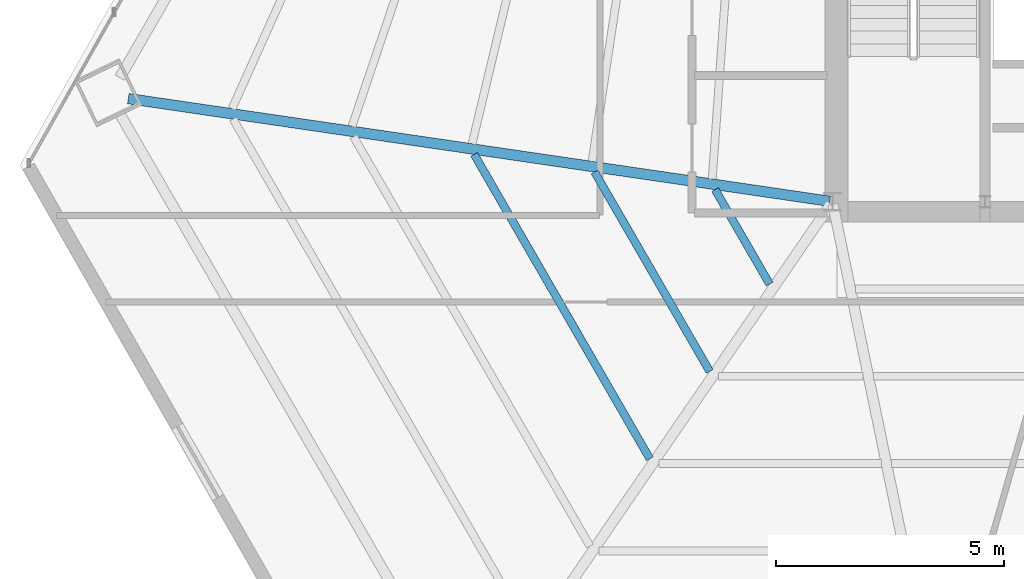
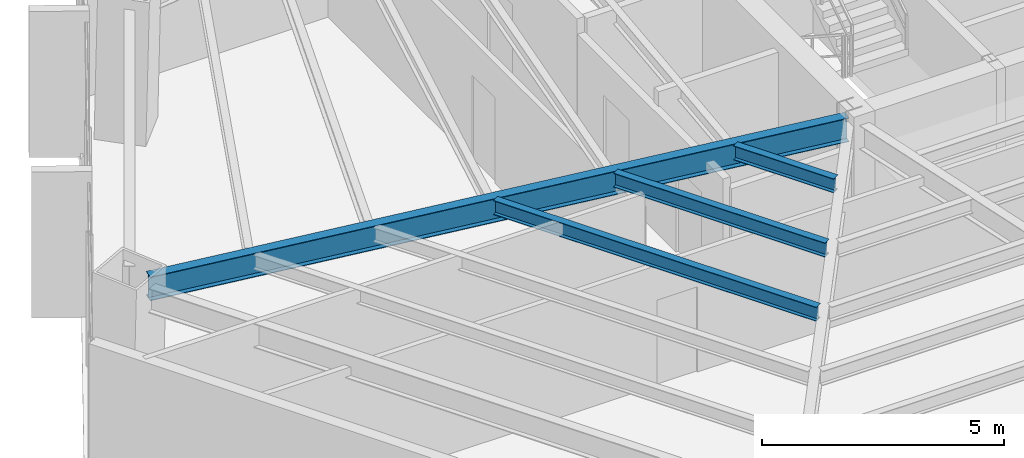
# One storey, part 7 of 36: 4 beams.
"""IFC4 building model written with IfcOpenShell, lengths in metres."""

import ifcopenshell
import ifcopenshell.guid

model = None  # the IFC model being written
_history = None  # IfcOwnerHistory: only IFC2X3 demands one
_inside = {}  # id of a spatial element -> (the spatial element, [elements in it])
_under = {}  # id of a project, library or spatial element -> (it, [spatial elements below it])
_declared = {}  # id of a project -> (the project, [libraries it declares])
_typed = {}  # id of a type object -> (the type object, [elements of that type])
_made_of = {}  # id of a material, layer set ... -> (it, [elements and type objects made of it])


def new_model(schema):
    """Start an empty IFC model of exactly this schema.

    Asked for "IFC4X3", IfcOpenShell would pick the latest addendum, in which some entities
    have other attributes; the version numbers below select the first issue.
    IFC2X3 requires an IfcOwnerHistory on every rooted entity: one is made here for all.
    """
    global model, _history
    if schema == "IFC4X3":
        model = ifcopenshell.file(schema_version=(4, 3, 0, 0))
    else:
        model = ifcopenshell.file(schema=schema)
    _inside.clear()
    _under.clear()
    _declared.clear()
    _typed.clear()
    _made_of.clear()
    _history = None
    if model.schema == "IFC2X3":
        org = make("IfcOrganization", Name="unknown")
        user = make(
            "IfcPersonAndOrganization",
            ThePerson=make("IfcPerson", FamilyName="unknown"),
            TheOrganization=org,
        )
        app = make(
            "IfcApplication",
            ApplicationDeveloper=org,
            Version="unknown",
            ApplicationFullName="unknown",
            ApplicationIdentifier="unknown",
        )
        _history = make(
            "IfcOwnerHistory",
            OwningUser=user,
            OwningApplication=app,
            ChangeAction="ADDED",
            CreationDate=0,
        )
    return model


def make(cls, **values):
    """One entity of the class cls with the attributes given. An attribute that is None is left unset."""
    return model.create_entity(
        cls, **{name: value for name, value in values.items() if value is not None}
    )


def rooted(cls, **values):
    """An entity with a GlobalId (a new one), such as an element, a storey or a relation."""
    return make(cls, GlobalId=ifcopenshell.guid.new(), OwnerHistory=_history, **values)


def si_unit(unit_type, name, prefix=None):
    """IfcSIUnit, for example si_unit("LENGTHUNIT", "METRE", prefix="MILLI")."""
    return make("IfcSIUnit", UnitType=unit_type, Prefix=prefix, Name=name)


def assignment(units):
    """IfcUnitAssignment: the units of a project."""
    return None if units is None else make("IfcUnitAssignment", Units=units)


def point(xyz):
    """IfcCartesianPoint."""
    return None if xyz is None else make("IfcCartesianPoint", Coordinates=xyz)


def direction(xyz):
    """IfcDirection."""
    return None if xyz is None else make("IfcDirection", DirectionRatios=xyz)


def frame(location, z_axis=None, x_axis=None):
    """IfcAxis2Placement3D, a coordinate frame: its origin and axes. An axis left out is left unset."""
    return make(
        "IfcAxis2Placement3D",
        Location=point(location),
        Axis=direction(z_axis),
        RefDirection=direction(x_axis),
    )


def frame_2d(location, x_axis=None):
    """IfcAxis2Placement2D, a coordinate frame in the plane: its origin and x axis."""
    return make(
        "IfcAxis2Placement2D", Location=point(location), RefDirection=direction(x_axis)
    )


def origin():
    """The frame at (0, 0, 0) with its axes left unset."""
    return frame((0.0, 0.0, 0.0))


def origin_2d():
    """The frame at (0, 0) in the plane with its x axis left unset."""
    return frame_2d((0.0, 0.0))


def place(relative_to, where):
    """IfcLocalPlacement: puts the frame where relative to a parent placement (None: the world)."""
    return make(
        "IfcLocalPlacement", PlacementRelTo=relative_to, RelativePlacement=where
    )


def context(
    kind, dimensions, precision=None, world=None, true_north=None, identifier=None
):
    """IfcGeometricRepresentationContext, for example the 3D "Model" context."""
    return make(
        "IfcGeometricRepresentationContext",
        ContextIdentifier=identifier,
        ContextType=kind,
        CoordinateSpaceDimension=dimensions,
        Precision=precision,
        WorldCoordinateSystem=world,
        TrueNorth=true_north,
    )


def subcontext(parent, identifier, kind, view, scale=None):
    """IfcGeometricRepresentationSubContext, for example "Body" below "Model"."""
    return make(
        "IfcGeometricRepresentationSubContext",
        ContextIdentifier=identifier,
        ContextType=kind,
        ParentContext=parent,
        TargetScale=scale,
        TargetView=view,
    )


def project(units=None, contexts=None):
    """IfcProject with its units and contexts."""
    return rooted(
        "IfcProject",
        Name="project",
        RepresentationContexts=contexts,
        UnitsInContext=assignment(units),
    )


def spatial(cls, under=None, at=None, **own):
    """A site, building, storey or space (cls), placed at a placement, below another one or the project."""
    s = rooted(cls, ObjectPlacement=at, **own)
    if under is not None:
        _under.setdefault(under.id(), (under, []))[1].append(s)
    return s


def profile(cls, at=None, kind="AREA", **sizes):
    """A parametric profile (cls). Its sizes go by their IFC names, for example OverallWidth=200.0."""
    return make(cls, ProfileType=kind, Position=at, **sizes)


def i_section(**sizes):
    """IfcIShapeProfileDef."""
    return profile("IfcIShapeProfileDef", **sizes)


def extrude(swept, where, along, depth):
    """IfcExtrudedAreaSolid: the profile swept, set in the frame where, extruded along a direction by depth."""
    return make(
        "IfcExtrudedAreaSolid",
        SweptArea=swept,
        Position=where,
        ExtrudedDirection=direction(along),
        Depth=depth,
    )


def shape(context_of_items, identifier, shape_type, items):
    """IfcShapeRepresentation: the items that make up one representation, for example the "Body"."""
    return make(
        "IfcShapeRepresentation",
        ContextOfItems=context_of_items,
        RepresentationIdentifier=identifier,
        RepresentationType=shape_type,
        Items=items,
    )


def source(mapping_origin, context_of_items, identifier, shape_type, items):
    """IfcRepresentationMap: a shape defined once, which mapped items show again and again."""
    return make(
        "IfcRepresentationMap",
        MappingOrigin=mapping_origin,
        MappedRepresentation=shape(context_of_items, identifier, shape_type, items),
    )


def transform(
    local_origin,
    x_axis=None,
    y_axis=None,
    z_axis=None,
    scale=None,
    scale2=None,
    scale3=None,
    uniform=True,
):
    """IfcCartesianTransformationOperator3D, or its non-uniform kind. x_axis, y_axis, z_axis: its Axis1, 2, 3."""
    if uniform:
        return make(
            "IfcCartesianTransformationOperator3D",
            Axis1=direction(x_axis),
            Axis2=direction(y_axis),
            LocalOrigin=point(local_origin),
            Scale=scale,
            Axis3=direction(z_axis),
        )
    return make(
        "IfcCartesianTransformationOperator3DnonUniform",
        Axis1=direction(x_axis),
        Axis2=direction(y_axis),
        LocalOrigin=point(local_origin),
        Scale=scale,
        Axis3=direction(z_axis),
        Scale2=scale2,
        Scale3=scale3,
    )


def mapped(mapping_source, mapping_target):
    """IfcMappedItem: shows the shape of a source again, moved by a transform."""
    return make(
        "IfcMappedItem", MappingSource=mapping_source, MappingTarget=mapping_target
    )


def material(Name=None, Category=None):
    """IfcMaterial."""
    return make("IfcMaterial", Name=Name, Category=Category)


def material_profile(
    of_material, cross_section, Name=None, Category=None, Priority=None
):
    """IfcMaterialProfile: a cross section and its material."""
    return make(
        "IfcMaterialProfile",
        Name=Name,
        Material=of_material,
        Profile=cross_section,
        Priority=Priority,
        Category=Category,
    )


def profile_set(profiles, Name=None, composite=None):
    """IfcMaterialProfileSet."""
    return make(
        "IfcMaterialProfileSet",
        Name=Name,
        MaterialProfiles=profiles,
        CompositeProfile=composite,
    )


def made_of(thing, what):
    """Note that an element or type object is made of a material, layer set ...; save() writes the relation."""
    if what is not None:
        _made_of.setdefault(what.id(), (what, []))[1].append(thing)
    return thing


def type_object(cls, material=None, **own):
    """A type object (cls), such as IfcWallType, which elements share."""
    return made_of(rooted(cls, **own), material)


def type_shapes(of_type, sources):
    """Give a type object the sources (RepresentationMaps) that its elements show as mapped items."""
    of_type.RepresentationMaps = sources


def element(
    cls,
    number,
    at=None,
    inside=None,
    cuts=None,
    type_object=None,
    material=None,
    context=None,
    identifier="Body",
    shape_type=None,
    held_by="IfcProductDefinitionShape",
    body=None,
    shapes=None,
    **own,
):
    """One element of the class cls, such as IfcWall. Its Tag is "e" and its number.

    at: its placement. inside: the storey or other place that contains it. cuts: it is an
    opening in that element (IfcRelVoidsElement). A single representation is given by context,
    identifier, shape_type and body (its items); several are given by shapes. held_by: the class
    of the entity that holds the representations. save() writes the other relations.
    """
    e = rooted(cls, Tag="e%d" % number, ObjectPlacement=at, **own)
    if body is not None:
        shapes = [shape(context, identifier, shape_type, body)]
    if shapes is not None:
        e.Representation = make(held_by, Representations=shapes)
    if inside is not None:
        _inside.setdefault(inside.id(), (inside, []))[1].append(e)
    if cuts is not None:
        rooted(
            "IfcRelVoidsElement", RelatingBuildingElement=cuts, RelatedOpeningElement=e
        )
    if type_object is not None:
        _typed.setdefault(type_object.id(), (type_object, []))[1].append(e)
    return made_of(e, material)


def aggregate(whole, parts):
    """IfcRelAggregates: a whole, such as a stair, and the parts it consists of."""
    return rooted("IfcRelAggregates", RelatingObject=whole, RelatedObjects=parts)


def save(model, path):
    """Write the relations noted so far, then the file.

    IfcRelAggregates (storeys below a building ...), IfcRelContainedInSpatialStructure (elements
    in a storey), IfcRelDefinesByType, IfcRelAssociatesMaterial and IfcRelDeclares: one each for
    every whole, place, type object, material and project.
    """
    for whole, parts in _under.values():
        aggregate(whole, parts)
    for where, things in _inside.values():
        rooted(
            "IfcRelContainedInSpatialStructure",
            RelatedElements=things,
            RelatingStructure=where,
        )
    for kind, things in _typed.values():
        rooted("IfcRelDefinesByType", RelatedObjects=things, RelatingType=kind)
    for what, things in _made_of.values():
        rooted("IfcRelAssociatesMaterial", RelatedObjects=things, RelatingMaterial=what)
    for by, libraries in _declared.values():
        rooted("IfcRelDeclares", RelatingContext=by, RelatedDefinitions=libraries)
    model.write(path)


model = new_model("IFC4")

# Units and contexts
model_context = context("Model", 3, precision=1e-05, world=origin(), true_north=direction((0.0, 1.0)))
body_context = subcontext(model_context, "Body", "Model", "MODEL_VIEW")
ifc_project = project(units=[si_unit("LENGTHUNIT", "METRE"), si_unit("AREAUNIT", "SQUARE_METRE"), si_unit("VOLUMEUNIT", "CUBIC_METRE"), si_unit("PLANEANGLEUNIT", "RADIAN"), si_unit("MASSUNIT", "GRAM", prefix="KILO")], contexts=[model_context])

# Site, building, storey
site_placement = place(None, origin())
site = spatial("IfcSite", under=ifc_project, at=site_placement, CompositionType="ELEMENT")
building_placement = place(site_placement, origin())
building = spatial("IfcBuilding", under=site, at=building_placement, Name="Caelisora Broadcast Tower", CompositionType="ELEMENT")
storey_placement = place(building_placement, frame((0.0, 0.0, 79.85009765625)))
storey = spatial("IfcBuildingStorey", under=building, at=storey_placement, Name="L20", CompositionType="ELEMENT", Elevation=79.85009765625)

# Beams
ifc_material = material(Name="Steel Grade 350 (AS/NZS 3679.1)", Category="steel")
ifc_material_profile_1 = material_profile(ifc_material, i_section(OverallWidth=0.22802734375, OverallDepth=0.602294921875, WebThickness=0.010498046875, FlangeThickness=0.014892578125, at=origin_2d()), Name="Steel Grade 350 (AS/NZS 3679.1)")
ifc_profile_set_1 = profile_set([ifc_material_profile_1], Name="Steel Grade 350 (AS/NZS 3679.1)")
beam_type_1 = type_object("IfcBeamType", Name="PG04", PredefinedType="BEAM", material=ifc_profile_set_1)
shared_shape_1 = source(origin(), body_context, "Body", "SweptSolid", [
    extrude(i_section(OverallWidth=0.22802734375, OverallDepth=0.602294921875, WebThickness=0.010498046875, FlangeThickness=0.014892578125, at=origin_2d()), origin(), (0.0, 0.0, 1.0), 15.550537109375),
])
type_shapes(beam_type_1, [shared_shape_1])
beam_1_placement = place(storey_placement, frame((30.440673828125, 17.40869140625, 3.098876953125), z_axis=(-0.989449539879, 0.144877907335, 0.0), x_axis=(-0.144877907335, -0.989449539879, 0.0)))
element("IfcBeam", 1, at=beam_1_placement, inside=storey, type_object=beam_type_1, Name="L20 beam PG04", PredefinedType="BEAM", context=body_context, shape_type="MappedRepresentation", body=[
    mapped(shared_shape_1, transform((0.0, 0.0, 0.0), scale=1.0)),
])
ifc_material_profile_2 = material_profile(ifc_material, i_section(OverallWidth=0.172119140625, OverallDepth=0.358642578125, WebThickness=0.008056640625, FlangeThickness=0.012939453125, at=origin_2d()), Name="Steel Grade 350 (AS/NZS 3679.1)")
ifc_profile_set_2 = profile_set([ifc_material_profile_2], Name="Steel Grade 350 (AS/NZS 3679.1)")
beam_type_2 = type_object("IfcBeamType", Name="SB02", PredefinedType="JOIST", material=ifc_profile_set_2)
shared_shape_2 = source(origin(), body_context, "Body", "SweptSolid", [
    extrude(i_section(OverallWidth=0.172119140625, OverallDepth=0.358642578125, WebThickness=0.008056640625, FlangeThickness=0.012939453125, at=origin_2d()), origin(), (0.0, 0.0, 1.0), 2.39306640625),
])
beam_2_placement = place(storey_placement, frame((27.927490234375, 17.663818359375, 3.220703125), z_axis=(0.499990325971, -0.866030989016, 0.0), x_axis=(0.866030989016, 0.499990325971, 0.0)))
element("IfcBeam", 2, at=beam_2_placement, inside=storey, type_object=beam_type_2, Name="L20 beam SB02", PredefinedType="JOIST", context=body_context, shape_type="MappedRepresentation", body=[
    mapped(shared_shape_2, transform((0.0, 0.0, 0.0), scale=1.0)),
])
shared_shape_3 = source(origin(), body_context, "Body", "SweptSolid", [
    extrude(i_section(OverallWidth=0.172119140625, OverallDepth=0.358642578125, WebThickness=0.008056640625, FlangeThickness=0.012939453125, at=origin_2d()), origin(), (0.0, 0.0, 1.0), 5.0517578125),
])
beam_3_placement = place(storey_placement, frame((25.283935546875, 18.05078125, 3.220703125), z_axis=(0.499995765644, -0.866027848477, 0.0), x_axis=(0.866027848477, 0.499995765644, 0.0)))
element("IfcBeam", 3, at=beam_3_placement, inside=storey, type_object=beam_type_2, Name="L20 beam SB02", PredefinedType="JOIST", context=body_context, shape_type="MappedRepresentation", body=[
    mapped(shared_shape_3, transform((0.0, 0.0, 0.0), scale=1.0)),
])
shared_shape_4 = source(origin(), body_context, "Body", "SweptSolid", [
    extrude(i_section(OverallWidth=0.172119140625, OverallDepth=0.358642578125, WebThickness=0.008056640625, FlangeThickness=0.012939453125, at=origin_2d()), origin(), (0.0, 0.0, 1.0), 7.71044921875),
])
type_shapes(beam_type_2, [shared_shape_2, shared_shape_3, shared_shape_4])
beam_4_placement = place(storey_placement, frame((22.640380859375, 18.43798828125, 3.220703125), z_axis=(0.499997453958, -0.866026873738, 0.0), x_axis=(0.866026873738, 0.499997453958, 0.0)))
element("IfcBeam", 4, at=beam_4_placement, inside=storey, type_object=beam_type_2, Name="L20 beam SB02", PredefinedType="JOIST", context=body_context, shape_type="MappedRepresentation", body=[
    mapped(shared_shape_4, transform((0.0, 0.0, 0.0), scale=1.0)),
])

save(model, "model.ifc")
